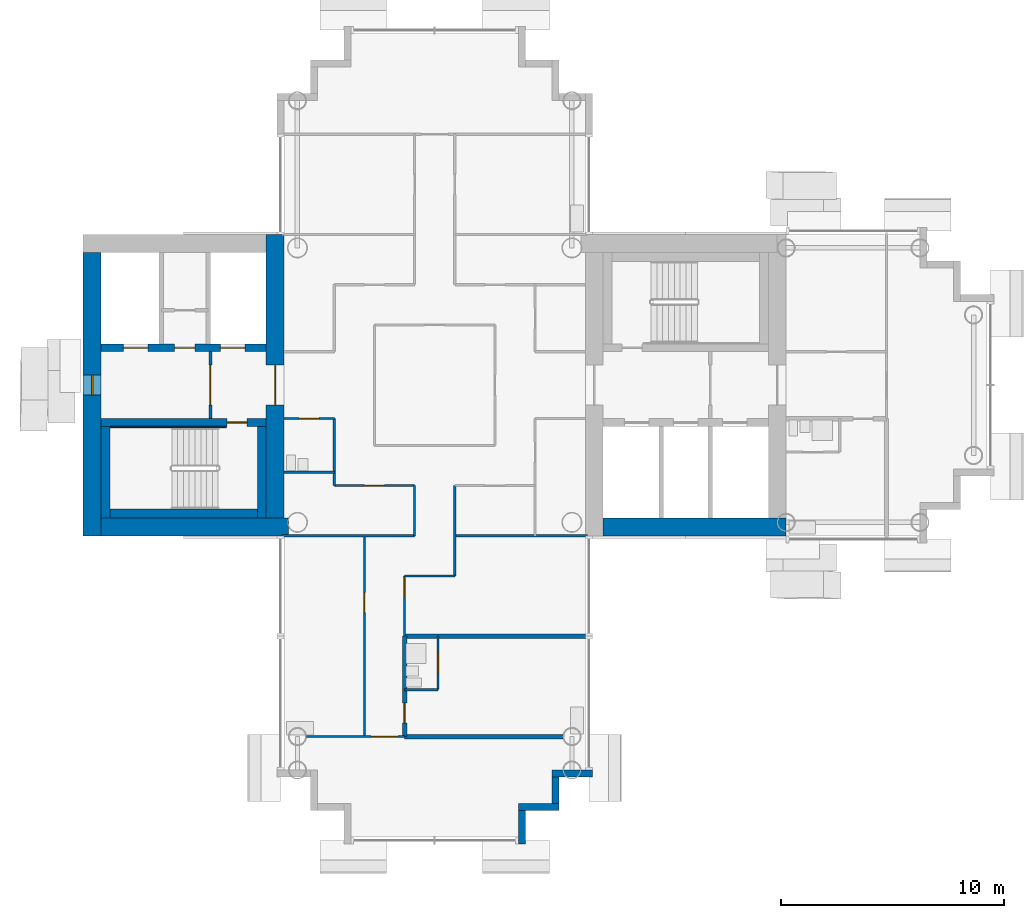
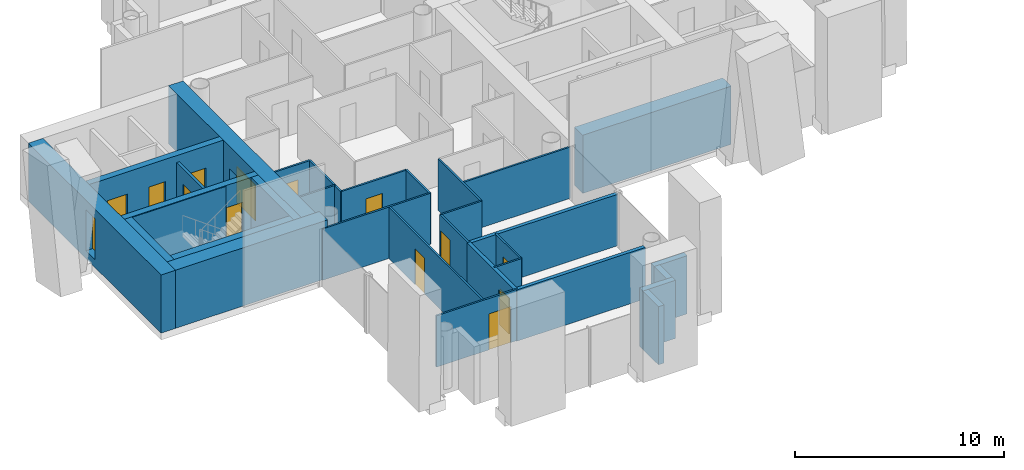
# One storey, part 6 of 18: 32 walls, 13 doors, 1 window, 14 openings.
"""IFC4 building model written with IfcOpenShell, lengths in metres."""

from ifc_helpers import new_model, si_unit, direction, frame, frame_2d, origin, place, context, subcontext, project, spatial, rectangle, extrude, material, layer, layer_set, type_object, element, fill, save


model = new_model("IFC4")

# Units and contexts
model_context = context("Model", 3, precision=1e-05, world=origin(), true_north=direction((0.0, 1.0)))
body_context = subcontext(model_context, "Body", "Model", "MODEL_VIEW")
ifc_project = project(units=[si_unit("LENGTHUNIT", "METRE"), si_unit("AREAUNIT", "SQUARE_METRE"), si_unit("VOLUMEUNIT", "CUBIC_METRE"), si_unit("PLANEANGLEUNIT", "RADIAN"), si_unit("MASSUNIT", "GRAM", prefix="KILO")], contexts=[model_context])

# Site, building, storey
site_placement = place(None, origin())
site = spatial("IfcSite", under=ifc_project, at=site_placement, CompositionType="ELEMENT")
building_placement = place(site_placement, origin())
building = spatial("IfcBuilding", under=site, at=building_placement, Name="Ipe Terrace Towers", CompositionType="ELEMENT")
storey_placement = place(building_placement, frame((0.0, 0.0, 150.699951171875)))
storey = spatial("IfcBuildingStorey", under=building, at=storey_placement, Name="L41", CompositionType="ELEMENT", Elevation=150.699951171875)

# Walls
ifc_material_1 = material(Name="Concrete C40/50 with buff precast cladding", Category="concrete")
ifc_layer_1 = layer(ifc_material_1, 0.320068359375)
ifc_layer_set_1 = layer_set([ifc_layer_1], Name="BUFF CLADDING WALL 320")
wall_type_1 = type_object("IfcWallType", Name="BUFF CLADDING WALL 320", PredefinedType="STANDARD", material=ifc_layer_set_1)
wall_1_placement = place(storey_placement, frame((-32.090087890625, -20.570068359375, -0.300048828125), z_axis=(0.0, 0.0, 1.0), x_axis=(0.0, 1.0, 0.0)))
element("IfcWall", 1, at=wall_1_placement, inside=storey, type_object=wall_type_1, Name="T1-W-L41-09a wall", PredefinedType="STANDARD", context=body_context, shape_type="SweptSolid", body=[
    extrude(rectangle(XDim=1.5, YDim=0.320068359375, at=frame_2d((0.75, 0.0))), origin(), (0.0, 0.0, 1.0), 3.400146484375),
])
wall_2_placement = place(storey_placement, frame((-32.25, -18.909912109375, -0.300048828125), z_axis=(0.0, 0.0, 1.0), x_axis=(1.0, 0.0, 0.0)))
element("IfcWall", 2, at=wall_2_placement, inside=storey, type_object=wall_type_1, Name="T1-W-L41-10a wall", PredefinedType="STANDARD", context=body_context, shape_type="SweptSolid", body=[
    extrude(rectangle(XDim=1.820068359375, YDim=0.320068359375, at=frame_2d((0.91015625, 0.0))), origin(), (0.0, 0.0, 1.0), 3.400146484375),
])
wall_3_placement = place(storey_placement, frame((-30.590087890625, -18.75, -0.300048828125), z_axis=(0.0, 0.0, 1.0), x_axis=(0.0, 1.0, 0.0)))
element("IfcWall", 3, at=wall_3_placement, inside=storey, type_object=wall_type_1, Name="T1-W-L41-11a wall", PredefinedType="STANDARD", context=body_context, shape_type="SweptSolid", body=[
    extrude(rectangle(XDim=1.179931640625, YDim=0.320068359375, at=frame_2d((0.58984375, 0.0))), origin(), (0.0, 0.0, 1.0), 3.400146484375),
])
wall_4_placement = place(storey_placement, frame((-30.75, -17.409912109375, -0.300048828125), z_axis=(0.0, 0.0, 1.0), x_axis=(1.0, 0.0, 0.0)))
element("IfcWall", 4, at=wall_4_placement, inside=storey, type_object=wall_type_1, Name="T1-W-L41-12a wall", PredefinedType="STANDARD", context=body_context, shape_type="SweptSolid", body=[
    extrude(rectangle(XDim=1.820068359375, YDim=0.320068359375, at=frame_2d((0.91015625, 0.0))), origin(), (0.0, 0.0, 1.0), 3.400146484375),
])
ifc_material_2 = material(Name="Gypsum board partition", Category="plasterboard")
ifc_layer_2 = layer(ifc_material_2, 0.10009765625)
ifc_layer_set_2 = layer_set([ifc_layer_2], Name="Gypsum board partition 100 mm")
wall_type_2 = type_object("IfcWallType", Name="Gypsum board partition 100 mm", PredefinedType="PARTITIONING", material=ifc_layer_set_2)
wall_5_placement = place(storey_placement, frame((-40.5, -4.5, 0.0), z_axis=(0.0, 0.0, 1.0), x_axis=(0.0, 1.0, 0.0)))
element("IfcWall", 5, at=wall_5_placement, inside=storey, type_object=wall_type_2, Name="Gypsum board partition T1 L41 W01", PredefinedType="PARTITIONING", context=body_context, shape_type="SweptSolid", body=[
    extrude(rectangle(XDim=3.0, YDim=0.10009765625, at=frame_2d((1.5, 0.0))), origin(), (0.0, 0.0, 1.0), 3.0),
])

# Wall, opening, door
wall_6_placement = place(storey_placement, frame((-39.14990234375, -15.75, 0.0), z_axis=(0.0, 0.0, 1.0), x_axis=(0.0, 1.0, 0.0)))
wall_6 = element("IfcWall", 6, at=wall_6_placement, inside=storey, type_object=wall_type_2, Name="Gypsum board partition T1 L41 W03", PredefinedType="PARTITIONING", context=body_context, shape_type="SweptSolid", body=[
    extrude(rectangle(XDim=9.0, YDim=0.10009765625, at=frame_2d((4.5, 0.0))), origin(), (0.0, 0.0, 1.0), 3.0),
])
opening_1_placement = place(wall_6_placement, frame((5.550048828125, 0.0, 0.0)))
opening_1 = element("IfcOpeningElement", 7, at=opening_1_placement, cuts=wall_6, Name="Opening T1-Z3B-16", PredefinedType="OPENING", context=body_context, shape_type="SweptSolid", body=[
    extrude(rectangle(XDim=0.89990234375, YDim=2.10009765625, at=frame_2d((0.449951171875, 1.050048828125))), frame((0.0, 0.06005859375, 0.0), z_axis=(0.0, -1.0, 0.0), x_axis=(1.0, 0.0, 0.0)), (0.0, 0.0, 1.0), 0.1201171875),
])
ifc_material_3 = material(Name="Timber door leaf", Category="wood")
door_type_1 = type_object("IfcDoorType", Name="Lounge door 900 x 2100", OperationType="NOTDEFINED", PredefinedType="DOOR", material=ifc_material_3)
door_1_placement = place(opening_1_placement, origin())
door_1 = element("IfcDoor", 8, at=door_1_placement, inside=storey, type_object=door_type_1, Name="Lounge door T1-Z3B-16", OperationType="SINGLE_SWING_LEFT", OverallHeight=2.10009765625, OverallWidth=0.89990234375, PredefinedType="DOOR", context=body_context, shape_type="SweptSolid", body=[
    extrude(rectangle(XDim=0.89990234375, YDim=2.10009765625, at=frame_2d((0.449951171875, 1.050048828125))), frame((0.0, 0.02490234375, 0.0), z_axis=(0.0, -1.0, 0.0), x_axis=(1.0, 0.0, 0.0)), (0.0, 0.0, 1.0), 0.050048828125),
])
fill(opening_1, door_1)

wall_7_placement = place(storey_placement, frame((-37.35009765625, -11.25, 0.0), z_axis=(0.0, 0.0, 1.0), x_axis=(0.0, 1.0, 0.0)))
wall_7 = element("IfcWall", 9, at=wall_7_placement, inside=storey, type_object=wall_type_2, Name="Gypsum board partition T1 L41 W05", PredefinedType="PARTITIONING", context=body_context, shape_type="SweptSolid", body=[
    extrude(rectangle(XDim=2.699951171875, YDim=0.10009765625, at=frame_2d((1.35009765625, 0.0))), origin(), (0.0, 0.0, 1.0), 3.0),
])
opening_2_placement = place(wall_7_placement, frame((1.72998046875, 0.0, 0.0)))
opening_2 = element("IfcOpeningElement", 10, at=opening_2_placement, cuts=wall_7, Name="Opening T1-Z3B-13", PredefinedType="OPENING", context=body_context, shape_type="SweptSolid", body=[
    extrude(rectangle(XDim=0.89990234375, YDim=2.10009765625, at=frame_2d((0.449951171875, 1.050048828125))), frame((0.0, 0.06005859375, 0.0), z_axis=(0.0, -1.0, 0.0), x_axis=(1.0, 0.0, 0.0)), (0.0, 0.0, 1.0), 0.1201171875),
])
door_2_placement = place(opening_2_placement, origin())
door_2 = element("IfcDoor", 11, at=door_2_placement, inside=storey, type_object=door_type_1, Name="Lounge door T1-Z3B-13", OperationType="SINGLE_SWING_RIGHT", OverallHeight=2.10009765625, OverallWidth=0.89990234375, PredefinedType="DOOR", context=body_context, shape_type="SweptSolid", body=[
    extrude(rectangle(XDim=0.89990234375, YDim=2.10009765625, at=frame_2d((0.449951171875, 1.050048828125))), frame((0.0, 0.02490234375, 0.0), z_axis=(0.0, -1.0, 0.0), x_axis=(1.0, 0.0, 0.0)), (0.0, 0.0, 1.0), 0.050048828125),
])
fill(opening_2, door_2)

# Wall
wall_8_placement = place(storey_placement, frame((-36.89990234375, -6.75, 0.0), z_axis=(0.0, 0.0, 1.0), x_axis=(0.0, 1.0, 0.0)))
element("IfcWall", 12, at=wall_8_placement, inside=storey, type_object=wall_type_2, Name="Gypsum board partition T1 L41 W07", PredefinedType="PARTITIONING", context=body_context, shape_type="SweptSolid", body=[
    extrude(rectangle(XDim=2.25, YDim=0.10009765625, at=frame_2d((1.125, 0.0))), origin(), (0.0, 0.0, 1.0), 3.0),
])

# Wall, opening, door
wall_9_placement = place(storey_placement, frame((-35.85009765625, -13.64990234375, 0.0), z_axis=(0.0, 0.0, 1.0), x_axis=(0.0, 1.0, 0.0)))
wall_9 = element("IfcWall", 13, at=wall_9_placement, inside=storey, type_object=wall_type_2, Name="Gypsum board partition T1 L41 W09", PredefinedType="PARTITIONING", context=body_context, shape_type="SweptSolid", body=[
    extrude(rectangle(XDim=2.39990234375, YDim=0.10009765625, at=frame_2d((1.199951171875, 0.0))), origin(), (0.0, 0.0, 1.0), 3.0),
])
opening_3_placement = place(wall_9_placement, frame((0.75, 0.0, 0.0)))
opening_3 = element("IfcOpeningElement", 14, at=opening_3_placement, cuts=wall_9, Name="Opening T1-Z3B-15", PredefinedType="OPENING", context=body_context, shape_type="SweptSolid", body=[
    extrude(rectangle(XDim=0.89990234375, YDim=2.10009765625, at=frame_2d((0.449951171875, 1.050048828125))), frame((0.0, 0.06005859375, 0.0), z_axis=(0.0, -1.0, 0.0), x_axis=(1.0, 0.0, 0.0)), (0.0, 0.0, 1.0), 0.1201171875),
])
ifc_material_4 = material(Name="Timber door leaf", Category="wood")
door_type_2 = type_object("IfcDoorType", Name="Bathroom door 900 x 2100", OperationType="NOTDEFINED", PredefinedType="DOOR", material=ifc_material_4)
door_3_placement = place(opening_3_placement, origin())
door_3 = element("IfcDoor", 15, at=door_3_placement, inside=storey, type_object=door_type_2, Name="Bathroom door T1-Z3B-15", OperationType="SINGLE_SWING_LEFT", OverallHeight=2.10009765625, OverallWidth=0.89990234375, PredefinedType="DOOR", context=body_context, shape_type="SweptSolid", body=[
    extrude(rectangle(XDim=0.89990234375, YDim=2.10009765625, at=frame_2d((0.449951171875, 1.050048828125))), frame((0.0, 0.02490234375, 0.0), z_axis=(0.0, -1.0, 0.0), x_axis=(1.0, 0.0, 0.0)), (0.0, 0.0, 1.0), 0.050048828125),
])
fill(opening_3, door_3)

# Wall
wall_10_placement = place(storey_placement, frame((-35.10009765625, -8.550048828125, 0.0), z_axis=(0.0, 0.0, 1.0), x_axis=(0.0, 1.0, 0.0)))
element("IfcWall", 16, at=wall_10_placement, inside=storey, type_object=wall_type_2, Name="Gypsum board partition T1 L41 W10", PredefinedType="PARTITIONING", context=body_context, shape_type="SweptSolid", body=[
    extrude(rectangle(XDim=4.050048828125, YDim=0.10009765625, at=frame_2d((2.02490234375, 0.0))), origin(), (0.0, 0.0, 1.0), 3.0),
])

# Wall, opening, door
wall_11_placement = place(storey_placement, frame((-41.75, -15.75, 0.0), z_axis=(0.0, 0.0, 1.0), x_axis=(1.0, 0.0, 0.0)))
wall_11 = element("IfcWall", 17, at=wall_11_placement, inside=storey, type_object=wall_type_2, Name="Gypsum board partition T1 L41 W18", PredefinedType="PARTITIONING", context=body_context, shape_type="SweptSolid", body=[
    extrude(rectangle(XDim=4.39990234375, YDim=0.10009765625, at=frame_2d((2.199951171875, 0.0))), origin(), (0.0, 0.0, 1.0), 3.0),
])
opening_4_placement = place(wall_11_placement, frame((2.89990234375, 0.0, 0.0)))
opening_4 = element("IfcOpeningElement", 18, at=opening_4_placement, cuts=wall_11, Name="Opening T1-Z3B-17", PredefinedType="OPENING", context=body_context, shape_type="SweptSolid", body=[
    extrude(rectangle(XDim=1.199951171875, YDim=2.10009765625, at=frame_2d((0.60009765625, 1.050048828125))), frame((0.0, 0.06005859375, 0.0), z_axis=(0.0, -1.0, 0.0), x_axis=(1.0, 0.0, 0.0)), (0.0, 0.0, 1.0), 0.1201171875),
])
ifc_material_5 = material(Name="Timber door leaf", Category="wood")
door_type_3 = type_object("IfcDoorType", Name="Lounge door 1200 x 2100", OperationType="NOTDEFINED", PredefinedType="DOOR", material=ifc_material_5)
door_4_placement = place(opening_4_placement, origin())
door_4 = element("IfcDoor", 19, at=door_4_placement, inside=storey, type_object=door_type_3, Name="Lounge door T1-Z3B-17", OperationType="SINGLE_SWING_RIGHT", OverallHeight=2.10009765625, OverallWidth=1.199951171875, PredefinedType="DOOR", context=body_context, shape_type="SweptSolid", body=[
    extrude(rectangle(XDim=1.199951171875, YDim=2.10009765625, at=frame_2d((0.60009765625, 1.050048828125))), frame((0.0, 0.02490234375, 0.0), z_axis=(0.0, -1.0, 0.0), x_axis=(1.0, 0.0, 0.0)), (0.0, 0.0, 1.0), 0.050048828125),
])
fill(opening_4, door_4)

# Walls
wall_12_placement = place(storey_placement, frame((-37.35009765625, -13.64990234375, 0.0), z_axis=(0.0, 0.0, 1.0), x_axis=(1.0, 0.0, 0.0)))
element("IfcWall", 20, at=wall_12_placement, inside=storey, type_object=wall_type_2, Name="Gypsum board partition T1 L41 W20", PredefinedType="PARTITIONING", context=body_context, shape_type="SweptSolid", body=[
    extrude(rectangle(XDim=1.5, YDim=0.10009765625, at=frame_2d((0.75, 0.0))), origin(), (0.0, 0.0, 1.0), 3.0),
])
wall_13_placement = place(storey_placement, frame((-37.35009765625, -8.550048828125, 0.0), z_axis=(0.0, 0.0, 1.0), x_axis=(1.0, 0.0, 0.0)))
element("IfcWall", 21, at=wall_13_placement, inside=storey, type_object=wall_type_2, Name="Gypsum board partition T1 L41 W22", PredefinedType="PARTITIONING", context=body_context, shape_type="SweptSolid", body=[
    extrude(rectangle(XDim=2.25, YDim=0.10009765625, at=frame_2d((1.125, 0.0))), origin(), (0.0, 0.0, 1.0), 3.0),
])
for number, where, z_axis, x_axis, name in (
    (22, (-42.85009765625, -6.75, 0.0), (0.0, 0.0, 1.0), (1.0, 0.0, 0.0), "Gypsum board partition T1 L41 W23"),
    (23, (-35.10009765625, -6.75, 0.0), (0.0, 0.0, 1.0), (1.0, 0.0, 0.0), "Gypsum board partition T1 L41 W24"),
):
    element("IfcWall", number, at=place(storey_placement, frame(where, z_axis=z_axis, x_axis=x_axis)), inside=storey, type_object=wall_type_2, Name=name, PredefinedType="PARTITIONING", context=body_context, shape_type="SweptSolid", body=[
        extrude(rectangle(XDim=5.9501953125, YDim=0.10009765625, at=frame_2d((2.97509765625, 0.0))), origin(), (0.0, 0.0, 1.0), 3.0),
    ])

# Wall, opening, door
wall_14_placement = place(storey_placement, frame((-40.5, -4.5, 0.0), z_axis=(0.0, 0.0, 1.0), x_axis=(1.0, 0.0, 0.0)))
wall_14 = element("IfcWall", 24, at=wall_14_placement, inside=storey, type_object=wall_type_2, Name="Gypsum board partition T1 L41 W25", PredefinedType="PARTITIONING", context=body_context, shape_type="SweptSolid", body=[
    extrude(rectangle(XDim=3.60009765625, YDim=0.10009765625, at=frame_2d((1.800048828125, 0.0))), origin(), (0.0, 0.0, 1.0), 3.0),
])
opening_5_placement = place(wall_14_placement, frame((1.35009765625, 0.0, 0.0)))
opening_5 = element("IfcOpeningElement", 25, at=opening_5_placement, cuts=wall_14, Name="Opening T1-Z3B-07", PredefinedType="OPENING", context=body_context, shape_type="SweptSolid", body=[
    extrude(rectangle(XDim=0.89990234375, YDim=2.10009765625, at=frame_2d((0.449951171875, 1.050048828125))), frame((0.0, 0.06005859375, 0.0), z_axis=(0.0, -1.0, 0.0), x_axis=(1.0, 0.0, 0.0)), (0.0, 0.0, 1.0), 0.1201171875),
])
door_5_placement = place(opening_5_placement, origin())
door_5 = element("IfcDoor", 26, at=door_5_placement, inside=storey, type_object=door_type_1, Name="Lounge door T1-Z3B-07", OperationType="SINGLE_SWING_LEFT", OverallHeight=2.10009765625, OverallWidth=0.89990234375, PredefinedType="DOOR", context=body_context, shape_type="SweptSolid", body=[
    extrude(rectangle(XDim=0.89990234375, YDim=2.10009765625, at=frame_2d((0.449951171875, 1.050048828125))), frame((0.0, 0.02490234375, 0.0), z_axis=(0.0, -1.0, 0.0), x_axis=(1.0, 0.0, 0.0)), (0.0, 0.0, 1.0), 0.050048828125),
])
fill(opening_5, door_5)

# Wall
wall_15_placement = place(storey_placement, frame((-42.75, -3.89990234375, 0.0), z_axis=(0.0, 0.0, 1.0), x_axis=(1.0, 0.0, 0.0)))
element("IfcWall", 27, at=wall_15_placement, inside=storey, type_object=wall_type_2, Name="Gypsum board partition T1 L41 W27", PredefinedType="PARTITIONING", context=body_context, shape_type="SweptSolid", body=[
    extrude(rectangle(XDim=2.25, YDim=0.10009765625, at=frame_2d((1.125, 0.0))), origin(), (0.0, 0.0, 1.0), 3.0),
])

# Wall, opening, door
wall_16_placement = place(storey_placement, frame((-42.75, -1.5, 0.0), z_axis=(0.0, 0.0, 1.0), x_axis=(1.0, 0.0, 0.0)))
wall_16 = element("IfcWall", 28, at=wall_16_placement, inside=storey, type_object=wall_type_2, Name="Gypsum board partition T1 L41 W30", PredefinedType="PARTITIONING", context=body_context, shape_type="SweptSolid", body=[
    extrude(rectangle(XDim=2.25, YDim=0.10009765625, at=frame_2d((1.125, 0.0))), origin(), (0.0, 0.0, 1.0), 3.0),
])
opening_6_placement = place(wall_16_placement, frame((0.675048828125, 0.0, 0.0)))
opening_6 = element("IfcOpeningElement", 29, at=opening_6_placement, cuts=wall_16, Name="Opening T1-Z3B-03", PredefinedType="OPENING", context=body_context, shape_type="SweptSolid", body=[
    extrude(rectangle(XDim=0.89990234375, YDim=2.10009765625, at=frame_2d((0.449951171875, 1.050048828125))), frame((0.0, 0.06005859375, 0.0), z_axis=(0.0, -1.0, 0.0), x_axis=(1.0, 0.0, 0.0)), (0.0, 0.0, 1.0), 0.1201171875),
])
door_6_placement = place(opening_6_placement, origin())
door_6 = element("IfcDoor", 30, at=door_6_placement, inside=storey, type_object=door_type_2, Name="Bathroom door T1-Z3B-03", OperationType="SINGLE_SWING_RIGHT", OverallHeight=2.10009765625, OverallWidth=0.89990234375, PredefinedType="DOOR", context=body_context, shape_type="SweptSolid", body=[
    extrude(rectangle(XDim=0.89990234375, YDim=2.10009765625, at=frame_2d((0.449951171875, 1.050048828125))), frame((0.0, 0.02490234375, 0.0), z_axis=(0.0, -1.0, 0.0), x_axis=(1.0, 0.0, 0.0)), (0.0, 0.0, 1.0), 0.050048828125),
])
fill(opening_6, door_6)

ifc_material_6 = material(Name="Gypsum board partition", Category="plasterboard")
ifc_layer_3 = layer(ifc_material_6, 0.14990234375)
ifc_layer_set_3 = layer_set([ifc_layer_3], Name="Gypsum board partition 150 mm")
wall_type_3 = type_object("IfcWallType", Name="Gypsum board partition 150 mm", PredefinedType="PARTITIONING", material=ifc_layer_set_3)
wall_17_placement = place(storey_placement, frame((-46.050048828125, 1.5, 0.0), z_axis=(0.0, 0.0, 1.0), x_axis=(0.0, -1.0, 0.0)))
wall_17 = element("IfcWall", 31, at=wall_17_placement, inside=storey, type_object=wall_type_3, Name="Gypsum board partition T1 L41 t1c2-lobby-wall", PredefinedType="PARTITIONING", context=body_context, shape_type="SweptSolid", body=[
    extrude(rectangle(XDim=3.0, YDim=0.14990234375, at=frame_2d((1.5, 0.0))), origin(), (0.0, 0.0, 1.0), 3.0),
])
opening_7_placement = place(wall_17_placement, frame((0.60009765625, 0.0, 0.0)))
opening_7 = element("IfcOpeningElement", 32, at=opening_7_placement, cuts=wall_17, Name="Opening T1C2-VD", PredefinedType="OPENING", context=body_context, shape_type="SweptSolid", body=[
    extrude(rectangle(XDim=1.800048828125, YDim=2.10009765625, at=frame_2d((0.89990234375, 1.050048828125))), frame((0.0, 0.0849609375, 0.0), z_axis=(0.0, -1.0, 0.0), x_axis=(1.0, 0.0, 0.0)), (0.0, 0.0, 1.0), 0.169921875),
])
ifc_material_7 = material(Name="Fire-rated timber door leaf", Category="wood")
door_type_4 = type_object("IfcDoorType", Name="Lobby door 1800 x 2100 FD60", OperationType="NOTDEFINED", PredefinedType="DOOR", material=ifc_material_7)
door_7_placement = place(opening_7_placement, origin())
door_7 = element("IfcDoor", 33, at=door_7_placement, inside=storey, type_object=door_type_4, Name="Lobby door T1C2-VD", OperationType="SINGLE_SWING_LEFT", OverallHeight=2.10009765625, OverallWidth=1.800048828125, PredefinedType="DOOR", context=body_context, shape_type="SweptSolid", body=[
    extrude(rectangle(XDim=1.800048828125, YDim=2.10009765625, at=frame_2d((0.89990234375, 1.050048828125))), frame((0.0, 0.02490234375, 0.0), z_axis=(0.0, -1.0, 0.0), x_axis=(1.0, 0.0, 0.0)), (0.0, 0.0, 1.0), 0.050048828125),
])
fill(opening_7, door_7)

ifc_material_8 = material(Name="Gypsum board party wall", Category="plasterboard")
ifc_layer_4 = layer(ifc_material_8, 0.199951171875)
ifc_layer_set_4 = layer_set([ifc_layer_4], Name="Gypsum board party wall 200 mm")
wall_type_4 = type_object("IfcWallType", Name="Gypsum board party wall 200 mm", PredefinedType="SOLIDWALL", material=ifc_layer_set_4)
wall_18_placement = place(storey_placement, frame((-37.35009765625, -15.75, 0.0), z_axis=(0.0, 0.0, 1.0), x_axis=(0.0, 1.0, 0.0)))
wall_18 = element("IfcWall", 34, at=wall_18_placement, inside=storey, type_object=wall_type_4, Name="Gypsum board party wall T1 L41 W06", PredefinedType="SOLIDWALL", context=body_context, shape_type="SweptSolid", body=[
    extrude(rectangle(XDim=4.5, YDim=0.199951171875, at=frame_2d((2.25, 0.0))), origin(), (0.0, 0.0, 1.0), 3.0),
])
opening_8_placement = place(wall_18_placement, frame((0.60009765625, 0.0, 0.0)))
opening_8 = element("IfcOpeningElement", 35, at=opening_8_placement, cuts=wall_18, Name="Opening T1-Z3B-14", PredefinedType="OPENING", context=body_context, shape_type="SweptSolid", body=[
    extrude(rectangle(XDim=0.89990234375, YDim=2.10009765625, at=frame_2d((0.449951171875, 1.050048828125))), frame((0.0, 0.10986328125, 0.0), z_axis=(0.0, -1.0, 0.0), x_axis=(1.0, 0.0, 0.0)), (0.0, 0.0, 1.0), 0.219970703125),
])
ifc_material_9 = material(Name="Fire-rated timber door leaf", Category="wood")
door_type_5 = type_object("IfcDoorType", Name="Flat entrance door 900 x 2100 FD30S", OperationType="NOTDEFINED", PredefinedType="DOOR", material=ifc_material_9)
door_8_placement = place(opening_8_placement, origin())
door_8 = element("IfcDoor", 36, at=door_8_placement, inside=storey, type_object=door_type_5, Name="Flat entrance door T1-Z3B-14", OperationType="SINGLE_SWING_LEFT", OverallHeight=2.10009765625, OverallWidth=0.89990234375, PredefinedType="DOOR", context=body_context, shape_type="SweptSolid", body=[
    extrude(rectangle(XDim=0.89990234375, YDim=2.10009765625, at=frame_2d((0.449951171875, 1.050048828125))), frame((0.0, 0.02490234375, 0.0), z_axis=(0.0, -1.0, 0.0), x_axis=(1.0, 0.0, 0.0)), (0.0, 0.0, 1.0), 0.050048828125),
])
fill(opening_8, door_8)

# Walls
wall_19_placement = place(storey_placement, frame((-37.35009765625, -15.75, 0.0), z_axis=(0.0, 0.0, 1.0), x_axis=(1.0, 0.0, 0.0)))
element("IfcWall", 37, at=wall_19_placement, inside=storey, type_object=wall_type_4, Name="Gypsum board party wall T1 L41 W19", PredefinedType="SOLIDWALL", context=body_context, shape_type="SweptSolid", body=[
    extrude(rectangle(XDim=7.10009765625, YDim=0.199951171875, at=frame_2d((3.550048828125, 0.0))), origin(), (0.0, 0.0, 1.0), 3.0),
])
wall_20_placement = place(storey_placement, frame((-37.35009765625, -11.25, 0.0), z_axis=(0.0, 0.0, 1.0), x_axis=(1.0, 0.0, 0.0)))
element("IfcWall", 38, at=wall_20_placement, inside=storey, type_object=wall_type_4, Name="Gypsum board party wall T1 L41 W21", PredefinedType="SOLIDWALL", context=body_context, shape_type="SweptSolid", body=[
    extrude(rectangle(XDim=8.2001953125, YDim=0.199951171875, at=frame_2d((4.10009765625, 0.0))), origin(), (0.0, 0.0, 1.0), 3.0),
])

# Wall, opening, door
ifc_material_10 = material(Name="Concrete C50/60", Category="concrete")
ifc_layer_5 = layer(ifc_material_10, 0.35009765625)
ifc_layer_set_5 = layer_set([ifc_layer_5], Name="RW350 CORE SPINE WALL 350 C50-60")
wall_type_5 = type_object("IfcWallType", Name="RW350 CORE SPINE WALL 350 C50-60", PredefinedType="SHEAR", material=ifc_layer_set_5)
wall_21_placement = place(storey_placement, frame((-50.949951171875, -1.675048828125, 0.0), z_axis=(0.0, 0.0, 1.0), x_axis=(1.0, 0.0, 0.0)))
wall_21 = element("IfcWall", 39, at=wall_21_placement, inside=storey, type_object=wall_type_5, Name="Core spine wall T1-C2-Z3-SW1", PredefinedType="SHEAR", context=body_context, shape_type="SweptSolid", body=[
    extrude(rectangle(XDim=7.39990234375, YDim=0.35009765625, at=frame_2d((3.699951171875, 0.0))), origin(), (0.0, 0.0, 1.0), 3.400146484375),
])
opening_9_placement = place(wall_21_placement, frame((5.64990234375, 0.0, 0.0)))
opening_9 = element("IfcOpeningElement", 40, at=opening_9_placement, cuts=wall_21, Name="Opening T1C2-SD", PredefinedType="OPENING", context=body_context, shape_type="SweptSolid", body=[
    extrude(rectangle(XDim=0.89990234375, YDim=2.10009765625, at=frame_2d((0.449951171875, 1.050048828125))), frame((0.0, 0.18505859375, 0.0), z_axis=(0.0, -1.0, 0.0), x_axis=(1.0, 0.0, 0.0)), (0.0, 0.0, 1.0), 0.3701171875),
])
ifc_material_11 = material(Name="Fire-rated timber door leaf", Category="wood")
door_type_6 = type_object("IfcDoorType", Name="Stair door 900 x 2100 FD60", OperationType="NOTDEFINED", PredefinedType="DOOR", material=ifc_material_11)
door_9_placement = place(opening_9_placement, origin())
door_9 = element("IfcDoor", 41, at=door_9_placement, inside=storey, type_object=door_type_6, Name="Stair door T1C2-SD", OperationType="SINGLE_SWING_RIGHT", OverallHeight=2.10009765625, OverallWidth=0.89990234375, PredefinedType="DOOR", context=body_context, shape_type="SweptSolid", body=[
    extrude(rectangle(XDim=0.89990234375, YDim=2.10009765625, at=frame_2d((0.449951171875, 1.050048828125))), frame((0.0, 0.02490234375, 0.0), z_axis=(0.0, -1.0, 0.0), x_axis=(1.0, 0.0, 0.0)), (0.0, 0.0, 1.0), 0.050048828125),
])
fill(opening_9, door_9)

# Wall, openings, doors
wall_22_placement = place(storey_placement, frame((-50.949951171875, 1.675048828125, 0.0), z_axis=(0.0, 0.0, 1.0), x_axis=(1.0, 0.0, 0.0)))
wall_22 = element("IfcWall", 42, at=wall_22_placement, inside=storey, type_object=wall_type_5, Name="Core spine wall T1-C2-Z3-SW2", PredefinedType="SHEAR", context=body_context, shape_type="SweptSolid", body=[
    extrude(rectangle(XDim=7.39990234375, YDim=0.35009765625, at=frame_2d((3.699951171875, 0.0))), origin(), (0.0, 0.0, 1.0), 3.400146484375),
])
opening_10_placement = place(wall_22_placement, frame((5.35009765625, 0.0, 0.0)))
opening_10 = element("IfcOpeningElement", 43, at=opening_10_placement, cuts=wall_22, Name="Opening T1C2-LD1", PredefinedType="OPENING", context=body_context, shape_type="SweptSolid", body=[
    extrude(rectangle(XDim=1.10009765625, YDim=2.10009765625, at=frame_2d((0.550048828125, 1.050048828125))), frame((0.0, 0.18505859375, 0.0), z_axis=(0.0, -1.0, 0.0), x_axis=(1.0, 0.0, 0.0)), (0.0, 0.0, 1.0), 0.3701171875),
])
opening_11_placement = place(wall_22_placement, frame((1.0, 0.0, 0.0)))
opening_11 = element("IfcOpeningElement", 44, at=opening_11_placement, cuts=wall_22, Name="Opening T1C2-LD3", PredefinedType="OPENING", context=body_context, shape_type="SweptSolid", body=[
    extrude(rectangle(XDim=1.10009765625, YDim=2.10009765625, at=frame_2d((0.550048828125, 1.050048828125))), frame((0.0, 0.18505859375, 0.0), z_axis=(0.0, -1.0, 0.0), x_axis=(1.0, 0.0, 0.0)), (0.0, 0.0, 1.0), 0.3701171875),
])
opening_12_placement = place(wall_22_placement, frame((3.300048828125, 0.0, 0.0)))
opening_12 = element("IfcOpeningElement", 45, at=opening_12_placement, cuts=wall_22, Name="Opening T1C2-R1-NR", PredefinedType="OPENING", context=body_context, shape_type="SweptSolid", body=[
    extrude(rectangle(XDim=0.89990234375, YDim=2.10009765625, at=frame_2d((0.449951171875, 1.050048828125))), frame((0.0, 0.18505859375, 0.0), z_axis=(0.0, -1.0, 0.0), x_axis=(1.0, 0.0, 0.0)), (0.0, 0.0, 1.0), 0.3701171875),
])
ifc_material_12 = material(Name="Fire-rated timber door leaf", Category="wood")
door_type_7 = type_object("IfcDoorType", Name="Sliding door 1100 x 2100 FD60", OperationType="SLIDING_TO_LEFT", PredefinedType="DOOR", material=ifc_material_12)
door_10_placement = place(opening_10_placement, origin())
door_10 = element("IfcDoor", 46, at=door_10_placement, inside=storey, type_object=door_type_7, Name="Sliding door T1C2-LD1", OperationType="SLIDING_TO_LEFT", OverallHeight=2.10009765625, OverallWidth=1.10009765625, PredefinedType="DOOR", context=body_context, shape_type="SweptSolid", body=[
    extrude(rectangle(XDim=1.10009765625, YDim=2.10009765625, at=frame_2d((0.550048828125, 1.050048828125))), frame((0.0, 0.02490234375, 0.0), z_axis=(0.0, -1.0, 0.0), x_axis=(1.0, 0.0, 0.0)), (0.0, 0.0, 1.0), 0.050048828125),
])
fill(opening_10, door_10)
door_11_placement = place(opening_11_placement, origin())
door_11 = element("IfcDoor", 47, at=door_11_placement, inside=storey, type_object=door_type_7, Name="Sliding door T1C2-LD3", OperationType="SLIDING_TO_LEFT", OverallHeight=2.10009765625, OverallWidth=1.10009765625, PredefinedType="DOOR", context=body_context, shape_type="SweptSolid", body=[
    extrude(rectangle(XDim=1.10009765625, YDim=2.10009765625, at=frame_2d((0.550048828125, 1.050048828125))), frame((0.0, 0.02490234375, 0.0), z_axis=(0.0, -1.0, 0.0), x_axis=(1.0, 0.0, 0.0)), (0.0, 0.0, 1.0), 0.050048828125),
])
fill(opening_11, door_11)
ifc_material_13 = material(Name="Timber door leaf", Category="wood")
door_type_8 = type_object("IfcDoorType", Name="Store door 900 x 2100", OperationType="NOTDEFINED", PredefinedType="DOOR", material=ifc_material_13)
door_12_placement = place(opening_12_placement, origin())
door_12 = element("IfcDoor", 48, at=door_12_placement, inside=storey, type_object=door_type_8, Name="Store door T1C2-R1-NR", OperationType="SINGLE_SWING_LEFT", OverallHeight=2.10009765625, OverallWidth=0.89990234375, PredefinedType="DOOR", context=body_context, shape_type="SweptSolid", body=[
    extrude(rectangle(XDim=0.89990234375, YDim=2.10009765625, at=frame_2d((0.449951171875, 1.050048828125))), frame((0.0, 0.02490234375, 0.0), z_axis=(0.0, -1.0, 0.0), x_axis=(1.0, 0.0, 0.0)), (0.0, 0.0, 1.0), 0.050048828125),
])
fill(opening_12, door_12)

# Walls
ifc_material_14 = material(Name="Concrete C50/60", Category="concrete")
ifc_layer_6 = layer(ifc_material_14, 0.39990234375)
ifc_layer_set_6 = layer_set([ifc_layer_6], Name="RW400 CORE INFILL WALL 400 C50-60")
wall_type_6 = type_object("IfcWallType", Name="RW400 CORE INFILL WALL 400 C50-60", PredefinedType="SHEAR", material=ifc_layer_set_6)
wall_23_placement = place(storey_placement, frame((-50.75, -1.85009765625, 0.0), z_axis=(0.0, 0.0, 1.0), x_axis=(0.0, -1.0, 0.0)))
element("IfcWall", 49, at=wall_23_placement, inside=storey, type_object=wall_type_6, Name="Core infill wall T1-C2-far", PredefinedType="SHEAR", context=body_context, shape_type="SweptSolid", body=[
    extrude(rectangle(XDim=4.099853515625, YDim=0.39990234375, at=frame_2d((2.0498046875, 0.0))), origin(), (0.0, 0.0, 1.0), 3.400146484375),
])
wall_24_placement = place(storey_placement, frame((-43.949951171875, -5.75, 0.0), z_axis=(0.0, 0.0, 1.0), x_axis=(-1.0, 0.0, 0.0)))
element("IfcWall", 50, at=wall_24_placement, inside=storey, type_object=wall_type_6, Name="Core infill wall T1-C2-back", PredefinedType="SHEAR", context=body_context, shape_type="SweptSolid", body=[
    extrude(rectangle(XDim=6.60009765625, YDim=0.39990234375, at=frame_2d((3.300048828125, 0.0))), origin(), (0.0, 0.0, 1.0), 3.400146484375),
])
wall_25_placement = place(storey_placement, frame((-43.75, -1.85009765625, 0.0), z_axis=(0.0, 0.0, 1.0), x_axis=(0.0, -1.0, 0.0)))
element("IfcWall", 51, at=wall_25_placement, inside=storey, type_object=wall_type_6, Name="Core infill wall T1-C2-near", PredefinedType="SHEAR", context=body_context, shape_type="SweptSolid", body=[
    extrude(rectangle(XDim=4.099853515625, YDim=0.39990234375, at=frame_2d((2.0498046875, 0.0))), origin(), (0.0, 0.0, 1.0), 3.400146484375),
])
ifc_material_15 = material(Name="Concrete C50/60", Category="concrete")
ifc_layer_7 = layer(ifc_material_15, 0.050048828125)
ifc_layer_set_7 = layer_set([ifc_layer_7], Name="RW50 CORE INFILL WALL 50 C50-60")
wall_type_7 = type_object("IfcWallType", Name="RW50 CORE INFILL WALL 50 C50-60", PredefinedType="SHEAR", material=ifc_layer_set_7)
wall_26_placement = place(storey_placement, frame((-45.35009765625, -1.875, 0.0), z_axis=(0.0, 0.0, 1.0), x_axis=(-1.0, 0.0, 0.0)))
element("IfcWall", 52, at=wall_26_placement, inside=storey, type_object=wall_type_7, Name="Core infill wall T1-C2-spine-b", PredefinedType="SHEAR", context=body_context, shape_type="SweptSolid", body=[
    extrude(rectangle(XDim=5.199951171875, YDim=0.050048828125, at=frame_2d((2.60009765625, 0.0))), origin(), (0.0, 0.0, 1.0), 3.400146484375),
])
ifc_material_16 = material(Name="Concrete C50/60", Category="concrete")
ifc_layer_8 = layer(ifc_material_16, 0.800048828125)
ifc_layer_set_8 = layer_set([ifc_layer_8], Name="RW800 CORE WALL 800 C50-60")
wall_type_8 = type_object("IfcWallType", Name="RW800 CORE WALL 800 C50-60", PredefinedType="SHEAR", material=ifc_layer_set_8)
wall_27_placement = place(storey_placement, frame((-28.449951171875, -6.35009765625, 0.0), z_axis=(0.0, 0.0, 1.0), x_axis=(1.0, 0.0, 0.0)))
element("IfcWall", 53, at=wall_27_placement, inside=storey, type_object=wall_type_8, Name="Core wall T1-C1-Z3-W01", PredefinedType="SHEAR", context=body_context, shape_type="SweptSolid", body=[
    extrude(rectangle(XDim=8.199951171875, YDim=0.800048828125, at=frame_2d((4.10009765625, 0.0))), origin(), (0.0, 0.0, 1.0), 3.400146484375),
])
wall_28_placement = place(storey_placement, frame((-50.949951171875, -6.35009765625, 0.0), z_axis=(0.0, 0.0, 1.0), x_axis=(1.0, 0.0, 0.0)))
element("IfcWall", 54, at=wall_28_placement, inside=storey, type_object=wall_type_8, Name="Core wall T1-C2-Z3-W01", PredefinedType="SHEAR", context=body_context, shape_type="SweptSolid", body=[
    extrude(rectangle(XDim=8.39794921875, YDim=0.800048828125, at=frame_2d((4.198974609375, 0.0))), origin(), (0.0, 0.0, 1.0), 3.400146484375),
])

# Wall, opening, door
wall_29_placement = place(storey_placement, frame((-43.14990234375, -5.949951171875, 0.0), z_axis=(0.0, 0.0, 1.0), x_axis=(0.0, 1.0, 0.0)))
wall_29 = element("IfcWall", 55, at=wall_29_placement, inside=storey, type_object=wall_type_8, Name="Core wall T1-C2-Z3-W02", PredefinedType="SHEAR", context=body_context, shape_type="SweptSolid", body=[
    extrude(rectangle(XDim=12.699951171875, YDim=0.800048828125, at=frame_2d((6.35009765625, 0.0))), origin(), (0.0, 0.0, 1.0), 3.400146484375),
])
opening_13_placement = place(wall_29_placement, frame((5.050048828125, 0.0, 0.0)))
opening_13 = element("IfcOpeningElement", 56, at=opening_13_placement, cuts=wall_29, Name="Opening T1C2-ND", PredefinedType="OPENING", context=body_context, shape_type="SweptSolid", body=[
    extrude(rectangle(XDim=1.800048828125, YDim=2.10009765625, at=frame_2d((0.89990234375, 1.050048828125))), frame((0.0, 0.41015625, 0.0), z_axis=(0.0, -1.0, 0.0), x_axis=(1.0, 0.0, 0.0)), (0.0, 0.0, 1.0), 0.820068359375),
])
ifc_material_17 = material(Name="Fire-rated timber door leaf", Category="wood")
door_type_9 = type_object("IfcDoorType", Name="Fire door 1800 x 2100 FD30S", OperationType="NOTDEFINED", PredefinedType="DOOR", material=ifc_material_17)
door_13_placement = place(opening_13_placement, origin())
door_13 = element("IfcDoor", 57, at=door_13_placement, inside=storey, type_object=door_type_9, Name="Fire door T1C2-ND", OperationType="SINGLE_SWING_LEFT", OverallHeight=2.10009765625, OverallWidth=1.800048828125, PredefinedType="DOOR", context=body_context, shape_type="SweptSolid", body=[
    extrude(rectangle(XDim=1.800048828125, YDim=2.10009765625, at=frame_2d((0.89990234375, 1.050048828125))), frame((0.0, 0.02490234375, 0.0), z_axis=(0.0, -1.0, 0.0), x_axis=(1.0, 0.0, 0.0)), (0.0, 0.0, 1.0), 0.050048828125),
])
fill(opening_13, door_13)

# Wall, opening, window
wall_30_placement = place(storey_placement, frame((-51.35009765625, 5.949951171875, 0.0), z_axis=(0.0, 0.0, 1.0), x_axis=(0.0, -1.0, 0.0)))
wall_30 = element("IfcWall", 58, at=wall_30_placement, inside=storey, type_object=wall_type_8, Name="Core wall T1-C2-Z3-W04", PredefinedType="SHEAR", context=body_context, shape_type="SweptSolid", body=[
    extrude(rectangle(XDim=12.699951171875, YDim=0.800048828125, at=frame_2d((6.35009765625, 0.0))), origin(), (0.0, 0.0, 1.0), 3.400146484375),
])
opening_14_placement = place(wall_30_placement, frame((5.5, 0.0, 0.449951171875)))
opening_14 = element("IfcOpeningElement", 59, at=opening_14_placement, cuts=wall_30, Name="Opening T1-C2-W-01-L41", PredefinedType="OPENING", context=body_context, shape_type="SweptSolid", body=[
    extrude(rectangle(XDim=0.89990234375, YDim=2.39990234375, at=frame_2d((0.449951171875, 1.199951171875))), frame((0.0, 0.41015625, 0.0), z_axis=(0.0, -1.0, 0.0), x_axis=(1.0, 0.0, 0.0)), (0.0, 0.0, 1.0), 0.820068359375),
])
ifc_material_18 = material(Name="Fire-resistant glazing EI 60", Category="glass")
window_type = type_object("IfcWindowType", Name="CORRIDOR END SLOT WINDOW 900 x 2400 EI 60", PartitioningType="SINGLE_PANEL", PredefinedType="WINDOW", material=ifc_material_18)
window_placement = place(opening_14_placement, origin())
window = element("IfcWindow", 60, at=window_placement, inside=storey, type_object=window_type, Name="W-01 window", OverallHeight=2.39990234375, OverallWidth=0.89990234375, PartitioningType="SINGLE_PANEL", PredefinedType="WINDOW", context=body_context, shape_type="SweptSolid", body=[
    extrude(rectangle(XDim=0.89990234375, YDim=2.39990234375, at=frame_2d((0.449951171875, 1.199951171875))), frame((0.0, 0.030029296875, 0.0), z_axis=(0.0, -1.0, 0.0), x_axis=(1.0, 0.0, 0.0)), (0.0, 0.0, 1.0), 0.06005859375),
])
fill(opening_14, window)

save(model, "model.ifc")
